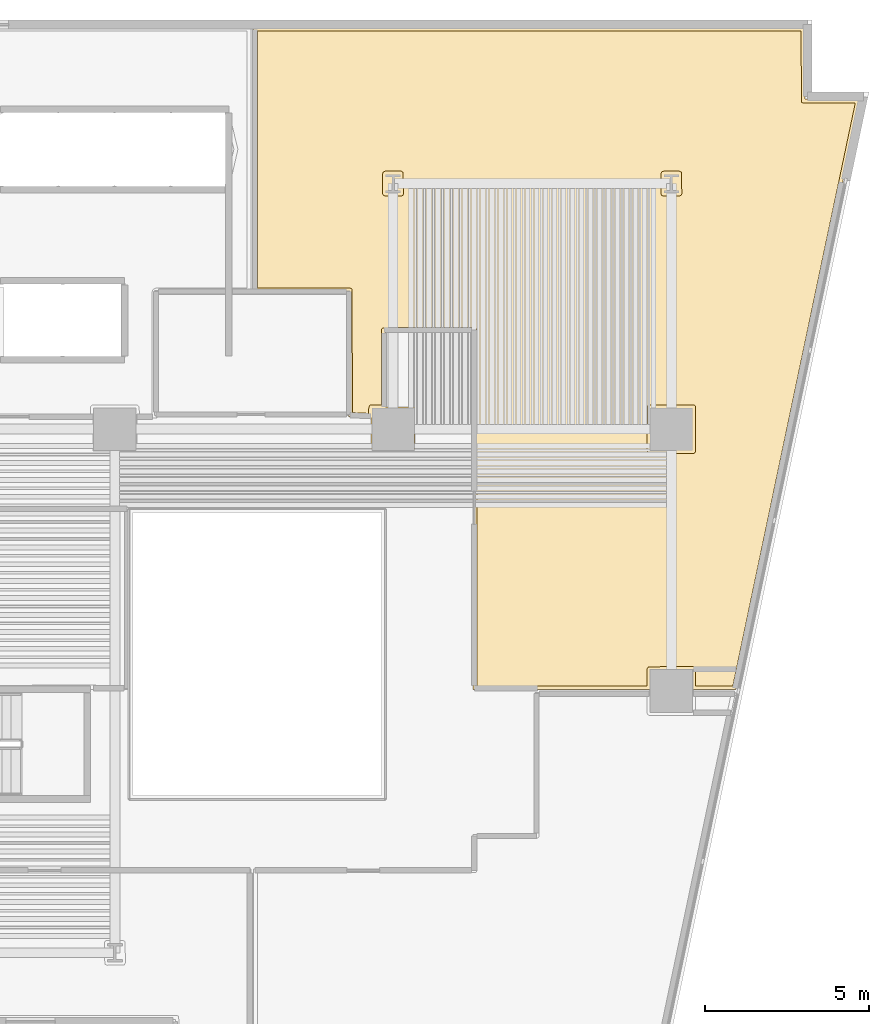
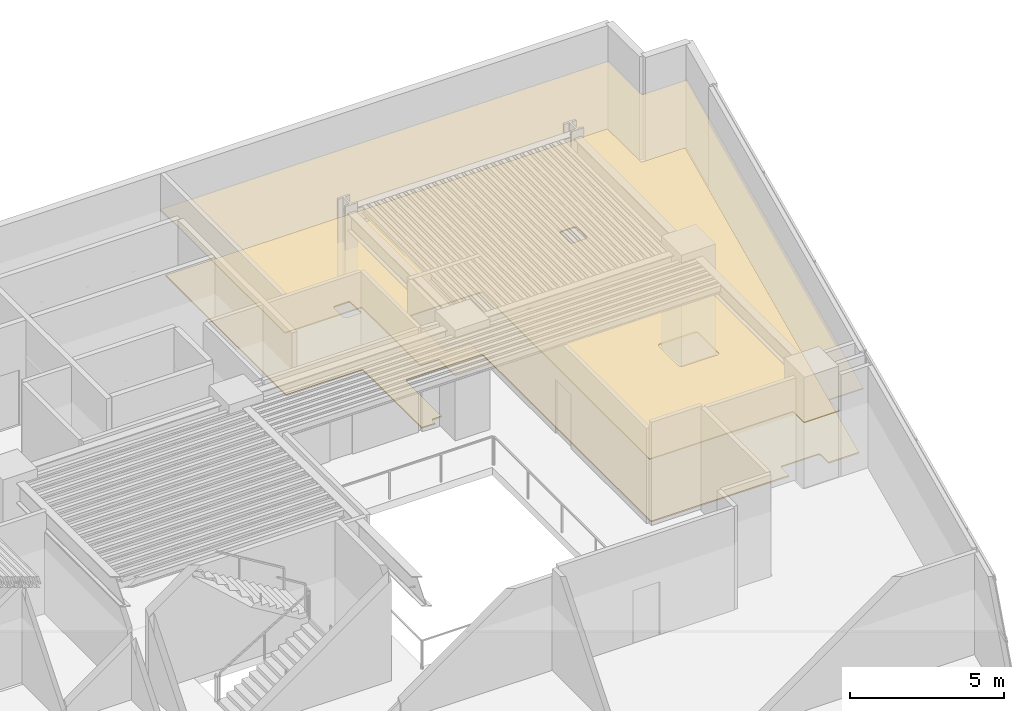
# One storey, part 11 of 11: 2 coverings.
"""IFC4 building model written with IfcOpenShell, lengths in metres."""

from ifc_helpers import new_model, si_unit, direction, frame, origin, place, context, subcontext, project, spatial, polyline, outline, extrude, material, layer, layer_set, type_object, element, save


model = new_model("IFC4")

# Units and contexts
model_context = context("Model", 3, precision=1e-05, world=origin(), true_north=direction((0.0, 1.0)))
body_context = subcontext(model_context, "Body", "Model", "MODEL_VIEW")
ifc_project = project(units=[si_unit("LENGTHUNIT", "METRE"), si_unit("AREAUNIT", "SQUARE_METRE"), si_unit("VOLUMEUNIT", "CUBIC_METRE"), si_unit("PLANEANGLEUNIT", "RADIAN"), si_unit("MASSUNIT", "GRAM", prefix="KILO")], contexts=[model_context])

# Site, building, storey
site_placement = place(None, origin())
site = spatial("IfcSite", under=ifc_project, at=site_placement, CompositionType="ELEMENT")
building_placement = place(site_placement, origin())
building = spatial("IfcBuilding", under=site, at=building_placement, Name="Caeloran Harvest Quay", CompositionType="ELEMENT")
storey_placement = place(building_placement, frame((0.0, 0.0, 40.199951171875)))
storey = spatial("IfcBuildingStorey", under=building, at=storey_placement, Name="L09", CompositionType="ELEMENT", Elevation=40.199951171875)

# Coverings
ifc_material_1 = material(Name="Perforated Mineral-Fibre Acoustic Ceiling Tile", Category="ceiling")
ifc_layer_1 = layer(ifc_material_1, 0.0400390625, Name="Perforated Mineral-Fibre Acoustic Ceiling Tile")
ifc_layer_set_1 = layer_set([ifc_layer_1], Name="Perforated Mineral-Fibre Acoustic Ceiling Tile")
covering_type_1 = type_object("IfcCoveringType", Name="COV-CEILING-ACOUSTIC", PredefinedType="CEILING", material=ifc_layer_set_1)
covering_1_placement = place(storey_placement, frame((0.0, 0.0, 2.60009765625)))
element("IfcCovering", 1, at=covering_1_placement, inside=storey, type_object=covering_type_1, Name="Agronomy Break Kitchen Acoustic Ceiling", PredefinedType="CEILING", context=body_context, shape_type="SweptSolid", body=[
    extrude(outline(polyline([(50.330078125, 23.0400390625), (44.93994140625, 23.0400390625), (44.93994140625, 33.989990234375), (42.260009765625, 33.989990234375), (42.260009765625, 31.669921875), (43.169921875, 31.669921875), (43.169921875, 30.330078125), (41.830078125, 30.330078125), (41.830078125, 31.3583984375), (41.139892578125, 31.390625), (41.139892578125, 35.18994140625), (38.239990234375, 35.18994140625), (38.239990234375, 43.280029296875), (55.080078125, 43.280029296875), (55.080078125, 41.080078125), (56.766845703125, 41.080078125), (52.97705078125, 23.0400390625), (51.669921875, 23.0400390625), (51.669921875, 22.330078125), (50.330078125, 22.330078125), (50.330078125, 23.0400390625)])), origin(), (0.0, 0.0, 1.0), 0.0400390625),
])
ifc_material_2 = material(Name="Calcium-Sulphate Raised Access Floor and Terrazzo Finish", Category="flooring")
ifc_layer_2 = layer(ifc_material_2, 0.050048828125, Name="Calcium-Sulphate Raised Access Floor and Terrazzo Finish")
ifc_layer_set_2 = layer_set([ifc_layer_2], Name="Calcium-Sulphate Raised Access Floor and Terrazzo Finish")
covering_type_2 = type_object("IfcCoveringType", Name="COV-FLOOR-RAISED", PredefinedType="FLOORING", material=ifc_layer_set_2)
covering_2_placement = place(storey_placement, origin())
element("IfcCovering", 2, at=covering_2_placement, inside=storey, type_object=covering_type_2, Name="Agronomy Break Kitchen Raised Finish Flooring", PredefinedType="FLOORING", context=body_context, shape_type="SweptSolid", body=[
    extrude(outline(polyline([(38.360107421875, 35.31005859375), (38.360107421875, 43.159912109375), (54.9599609375, 43.159912109375), (54.978271484375, 40.9892578125), (55.0400390625, 40.9599609375), (56.618896484375, 40.9599609375), (52.879638671875, 23.159912109375), (51.7451171875, 23.159912109375), (51.74462890625, 23.6728515625), (51.7158203125, 23.726806640625), (51.6650390625, 23.7451171875), (50.304443359375, 23.739013671875), (50.25537109375, 23.6728515625), (50.2548828125, 23.159912109375), (45.06005859375, 23.159912109375), (45.050537109375, 34.067626953125), (44.97998046875, 34.110107421875), (42.175537109375, 34.096435546875), (42.139892578125, 34.030029296875), (42.139892578125, 31.7451171875), (41.79052734375, 31.7314453125), (41.75537109375, 31.6728515625), (41.7548828125, 31.48193359375), (41.260009765625, 31.505126953125), (41.24169921875, 35.28076171875), (41.179931640625, 35.31005859375), (38.360107421875, 35.31005859375)]), holes=[polyline([(51.7451171875, 31.6650390625), (51.7216796875, 31.7216796875), (51.6650390625, 31.7451171875), (50.3349609375, 31.7451171875), (50.2783203125, 31.7216796875), (50.2548828125, 31.6650390625), (50.2548828125, 30.3349609375), (50.2783203125, 30.2783203125), (50.3349609375, 30.2548828125), (51.6650390625, 30.2548828125), (51.7216796875, 30.2783203125), (51.7451171875, 30.3349609375), (51.7451171875, 31.6650390625)]), polyline([(51.322021484375, 38.200439453125), (51.3037109375, 38.850341796875), (51.249755859375, 38.879150390625), (50.758056640625, 38.87939453125), (50.701416015625, 38.856201171875), (50.677978515625, 38.799560546875), (50.677978515625, 38.200439453125), (50.701416015625, 38.143798828125), (50.758056640625, 38.12060546875), (51.241943359375, 38.12060546875), (51.298583984375, 38.143798828125), (51.322021484375, 38.200439453125)]), polyline([(42.822021484375, 38.200439453125), (42.8037109375, 38.850341796875), (42.749755859375, 38.879150390625), (42.258056640625, 38.87939453125), (42.201416015625, 38.856201171875), (42.177978515625, 38.799560546875), (42.177978515625, 38.200439453125), (42.201416015625, 38.143798828125), (42.258056640625, 38.12060546875), (42.741943359375, 38.12060546875), (42.798583984375, 38.143798828125), (42.822021484375, 38.200439453125)])]), origin(), (0.0, 0.0, 1.0), 0.050048828125),
])

save(model, "model.ifc")
